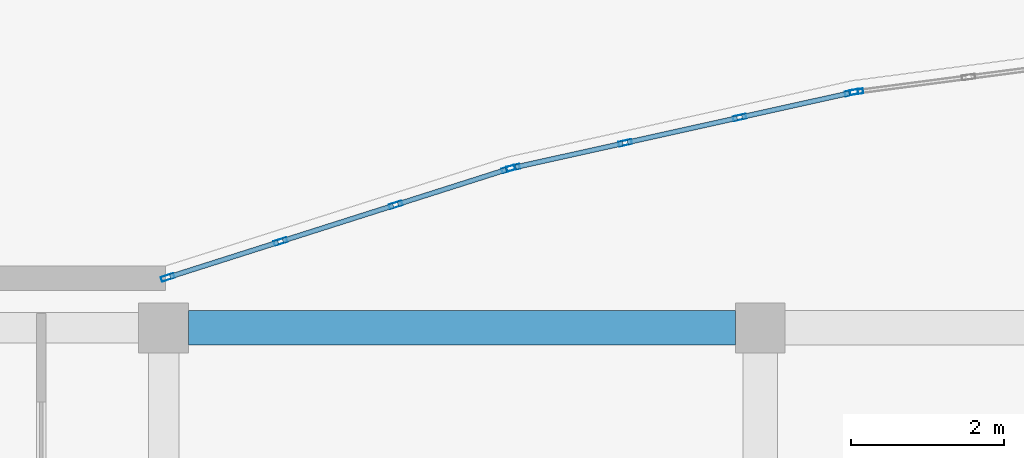
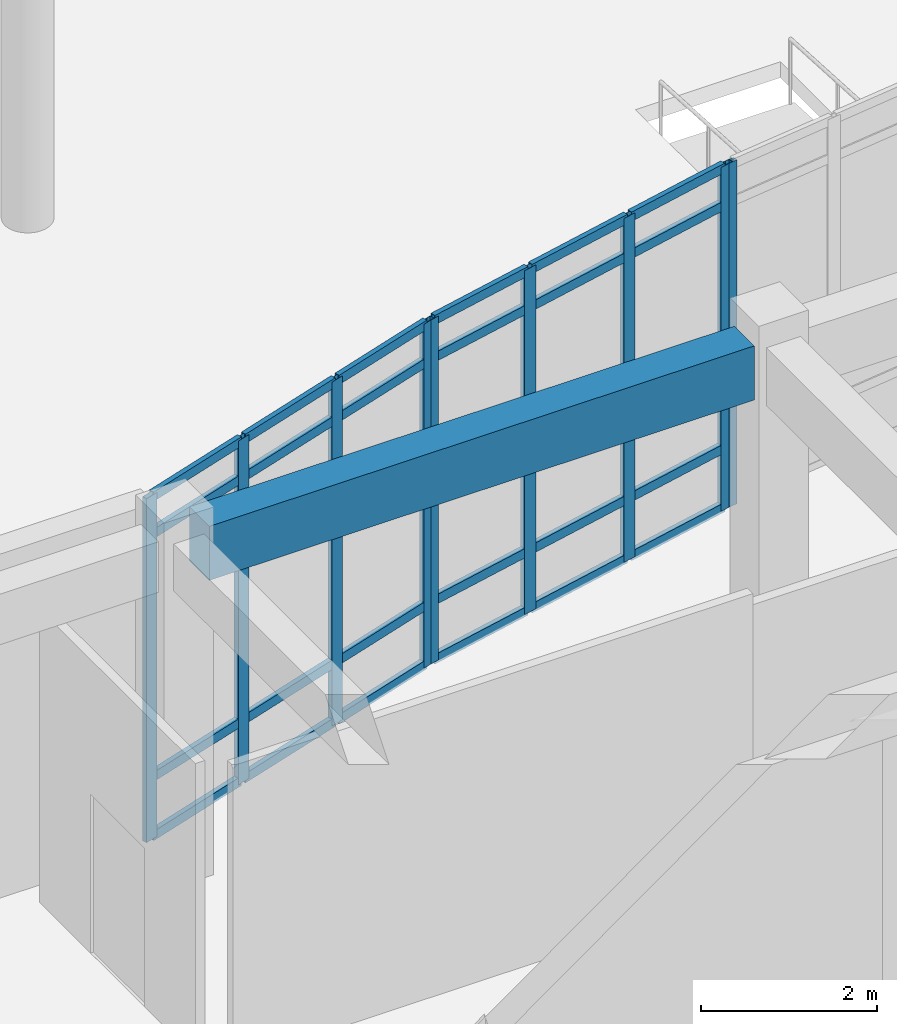
# One storey, part 30 of 121: 33 members, 1 beam, 3 elements without a shape of their own.
"""IFC4 building model written with IfcOpenShell, lengths in metres."""

from ifc_helpers import new_model, si_unit, direction, frame, origin, origin_2d, place, context, subcontext, project, spatial, rectangle, hollow_rectangle, extrude, material, layer, layer_set, material_profile, profile_set, type_object, element, aggregate, save


model = new_model("IFC4")

# Units and contexts
model_context = context("Model", 3, precision=1e-05, world=origin(), true_north=direction((0.0, 1.0)))
body_context = subcontext(model_context, "Body", "Model", "MODEL_VIEW")
ifc_project = project(units=[si_unit("LENGTHUNIT", "METRE"), si_unit("AREAUNIT", "SQUARE_METRE"), si_unit("VOLUMEUNIT", "CUBIC_METRE"), si_unit("PLANEANGLEUNIT", "RADIAN"), si_unit("MASSUNIT", "GRAM", prefix="KILO")], contexts=[model_context])

# Site, building, storey
site_placement = place(None, origin())
site = spatial("IfcSite", under=ifc_project, at=site_placement, CompositionType="ELEMENT")
building_placement = place(site_placement, origin())
building = spatial("IfcBuilding", under=site, at=building_placement, Name="Valcora Specialist Clinic", CompositionType="ELEMENT")
storey_placement = place(building_placement, origin())
storey = spatial("IfcBuildingStorey", under=building, at=storey_placement, Name="L00", CompositionType="ELEMENT", Elevation=0.0)

# Beam
ifc_material_1 = material(Name="Concrete C40/50", Category="concrete")
ifc_material_profile_1 = material_profile(ifc_material_1, rectangle(XDim=0.449951171875, YDim=0.75, at=origin_2d()), Name="RC-BM-450X750")
ifc_profile_set_1 = profile_set([ifc_material_profile_1], Name="Concrete C40/50")
beam_type = type_object("IfcBeamType", Name="TY-BM-RC450X750", PredefinedType="BEAM", material=ifc_profile_set_1)
beam_placement = place(storey_placement, frame((69.324951171875, 22.0, 4.39501953125), z_axis=(1.0, 0.0, 0.0), x_axis=(0.0, 1.0, 0.0)))
element("IfcBeam", 1, at=beam_placement, inside=storey, type_object=beam_type, Name="Beam BM-L00-1253", PredefinedType="BEAM", context=body_context, shape_type="SweptSolid", body=[
    extrude(rectangle(XDim=0.449951171875, YDim=0.75, at=origin_2d()), origin(), (0.0, 0.0, 1.0), 7.150146484375),
])

# Curtain wall, members
ifc_material_2 = material(Name="Anodized Bronze Aluminium 6063-T6", Category="aluminium")
ifc_layer = layer(ifc_material_2, 0.175048828125)
ifc_layer_set = layer_set([ifc_layer], Name="Anodized Bronze Aluminium 6063-T6")
curtain_wall_type = type_object("IfcCurtainWallType", Name="TY-CW-ARC51", PredefinedType="NOTDEFINED", material=ifc_layer_set)
curtain_wall_1_placement = place(storey_placement, origin())
curtain_wall_1 = element("IfcCurtainWall", 2, at=curtain_wall_1_placement, inside=storey, type_object=curtain_wall_type, Name="Curtain wall CW-L00-186", PredefinedType="NOTDEFINED")
ifc_material_profile_2 = material_profile(ifc_material_2, hollow_rectangle(XDim=0.06494140625, YDim=0.175048828125, WallThickness=0.00390625, at=origin_2d()), Name="AL-MUL-65X175")
ifc_profile_set_2 = profile_set([ifc_material_profile_2], Name="Anodized Bronze Aluminium 6063-T6")
member_type_1 = type_object("IfcMemberType", Name="TY-CWM-65X175", PredefinedType="MULLION", material=ifc_profile_set_2)
member_1_placement = place(storey_placement, frame((69.05419921875, 22.659912109375, 0.0), z_axis=(0.0, 0.0, 1.0), x_axis=(-0.303233270958, 0.952916356972, 0.0)))
member_1 = element("IfcMember", 3, at=member_1_placement, type_object=member_type_1, Name="CW-ARC-51 mullion 1", PredefinedType="MULLION", context=body_context, shape_type="SweptSolid", body=[
    extrude(hollow_rectangle(XDim=0.06494140625, YDim=0.175048828125, WallThickness=0.00390625, at=origin_2d()), origin(), (0.0, 0.0, 1.0), 4.77001953125),
])
member_2_placement = place(storey_placement, frame((70.528564453125, 23.12890625, 0.0), z_axis=(0.0, 0.0, 1.0), x_axis=(-0.303233270958, 0.952916356972, 0.0)))
member_2 = element("IfcMember", 4, at=member_2_placement, type_object=member_type_1, Name="CW-ARC-51 mullion 2", PredefinedType="MULLION", context=body_context, shape_type="SweptSolid", body=[
    extrude(hollow_rectangle(XDim=0.06494140625, YDim=0.175048828125, WallThickness=0.00390625, at=origin_2d()), origin(), (0.0, 0.0, 1.0), 4.77001953125),
])
member_3_placement = place(storey_placement, frame((72.033935546875, 23.60791015625, 0.0), z_axis=(0.0, 0.0, 1.0), x_axis=(-0.303233270958, 0.952916356972, 0.0)))
member_3 = element("IfcMember", 5, at=member_3_placement, type_object=member_type_1, Name="CW-ARC-51 mullion 3", PredefinedType="MULLION", context=body_context, shape_type="SweptSolid", body=[
    extrude(hollow_rectangle(XDim=0.06494140625, YDim=0.175048828125, WallThickness=0.00390625, at=origin_2d()), origin(), (0.0, 0.0, 1.0), 4.77001953125),
])
member_4_placement = place(storey_placement, frame((73.508056640625, 24.0771484375, 0.0), z_axis=(0.0, 0.0, 1.0), x_axis=(-0.303233270958, 0.952916356972, 0.0)))
member_4 = element("IfcMember", 6, at=member_4_placement, type_object=member_type_1, Name="CW-ARC-51 mullion 4", PredefinedType="MULLION", context=body_context, shape_type="SweptSolid", body=[
    extrude(hollow_rectangle(XDim=0.06494140625, YDim=0.175048828125, WallThickness=0.00390625, at=origin_2d()), origin(), (0.0, 0.0, 1.0), 4.77001953125),
])

curtain_wall_2_placement = place(storey_placement, origin())
curtain_wall_2 = element("IfcCurtainWall", 7, at=curtain_wall_2_placement, inside=storey, type_object=curtain_wall_type, Name="Curtain wall CW-L00-187", PredefinedType="NOTDEFINED")
member_5_placement = place(storey_placement, frame((73.57080078125, 24.093994140625, 0.0), z_axis=(0.0, 0.0, 1.0), x_axis=(-0.216518052372, 0.976278614432, 0.0)))
member_5 = element("IfcMember", 8, at=member_5_placement, type_object=member_type_1, Name="CW-ARC-51 mullion 1", PredefinedType="MULLION", context=body_context, shape_type="SweptSolid", body=[
    extrude(hollow_rectangle(XDim=0.06494140625, YDim=0.175048828125, WallThickness=0.00390625, at=origin_2d()), origin(), (0.0, 0.0, 1.0), 4.77001953125),
])
member_6_placement = place(storey_placement, frame((75.03466796875, 24.418701171875, 0.0), z_axis=(0.0, 0.0, 1.0), x_axis=(-0.216518052372, 0.976278614432, 0.0)))
member_6 = element("IfcMember", 9, at=member_6_placement, type_object=member_type_1, Name="CW-ARC-51 mullion 2", PredefinedType="MULLION", context=body_context, shape_type="SweptSolid", body=[
    extrude(hollow_rectangle(XDim=0.06494140625, YDim=0.175048828125, WallThickness=0.00390625, at=origin_2d()), origin(), (0.0, 0.0, 1.0), 4.77001953125),
])
member_7_placement = place(storey_placement, frame((76.5302734375, 24.75048828125, 0.0), z_axis=(0.0, 0.0, 1.0), x_axis=(-0.216518052372, 0.976278614432, 0.0)))
member_7 = element("IfcMember", 10, at=member_7_placement, type_object=member_type_1, Name="CW-ARC-51 mullion 3", PredefinedType="MULLION", context=body_context, shape_type="SweptSolid", body=[
    extrude(hollow_rectangle(XDim=0.06494140625, YDim=0.175048828125, WallThickness=0.00390625, at=origin_2d()), origin(), (0.0, 0.0, 1.0), 4.77001953125),
])
member_8_placement = place(storey_placement, frame((77.994384765625, 25.074951171875, 0.0), z_axis=(0.0, 0.0, 1.0), x_axis=(-0.216518052372, 0.976278614432, 0.0)))
member_8 = element("IfcMember", 11, at=member_8_placement, type_object=member_type_1, Name="CW-ARC-51 mullion 4", PredefinedType="MULLION", context=body_context, shape_type="SweptSolid", body=[
    extrude(hollow_rectangle(XDim=0.06494140625, YDim=0.175048828125, WallThickness=0.00390625, at=origin_2d()), origin(), (0.0, 0.0, 1.0), 4.77001953125),
])

# Curtain wall, member
curtain_wall_3_placement = place(storey_placement, origin())
curtain_wall_3 = element("IfcCurtainWall", 12, at=curtain_wall_3_placement, inside=storey, type_object=curtain_wall_type, Name="Curtain wall CW-L00-188", PredefinedType="NOTDEFINED")
member_9_placement = place(storey_placement, frame((78.05810546875, 25.08642578125, 0.0), z_axis=(0.0, 0.0, 1.0), x_axis=(-0.129999492259, 0.991514060421, 0.0)))
member_9 = element("IfcMember", 13, at=member_9_placement, type_object=member_type_1, Name="CW-ARC-51 mullion 1", PredefinedType="MULLION", context=body_context, shape_type="SweptSolid", body=[
    extrude(hollow_rectangle(XDim=0.06494140625, YDim=0.175048828125, WallThickness=0.00390625, at=origin_2d()), origin(), (0.0, 0.0, 1.0), 4.77001953125),
])
aggregate(curtain_wall_3, [member_9])

# Member
ifc_material_profile_3 = material_profile(ifc_material_2, hollow_rectangle(XDim=0.06494140625, YDim=0.1298828125, WallThickness=0.00390625, at=origin_2d()), Name="AL-TRN-65X130")
ifc_profile_set_3 = profile_set([ifc_material_profile_3], Name="Anodized Bronze Aluminium 6063-T6")
member_type_2 = type_object("IfcMemberType", Name="TY-CWT-65X130", PredefinedType="USERDEFINED", material=ifc_profile_set_3)
member_10_placement = place(storey_placement, frame((69.085205078125, 22.669677734375, 0.032470703125), z_axis=(0.952910635624, 0.303251249816, 0.0), x_axis=(-0.303251249816, 0.952910635624, 0.0)))
member_10 = element("IfcMember", 14, at=member_10_placement, type_object=member_type_2, Name="CW-ARC-51 transom 1.1", ObjectType="TRANSOM", PredefinedType="USERDEFINED", context=body_context, shape_type="SweptSolid", body=[
    extrude(hollow_rectangle(XDim=0.06494140625, YDim=0.1298828125, WallThickness=0.00390625, at=origin_2d()), origin(), (0.0, 0.0, 1.0), 1.482177734375),
])

member_11_placement = place(storey_placement, frame((69.085205078125, 22.669677734375, 0.85009765625), z_axis=(0.952910635624, 0.303251249816, 0.0), x_axis=(-0.303251249816, 0.952910635624, 0.0)))
member_11 = element("IfcMember", 15, at=member_11_placement, type_object=member_type_2, Name="CW-ARC-51 transom 1.2", ObjectType="TRANSOM", PredefinedType="USERDEFINED", context=body_context, shape_type="SweptSolid", body=[
    extrude(hollow_rectangle(XDim=0.06494140625, YDim=0.1298828125, WallThickness=0.00390625, at=origin_2d()), origin(), (0.0, 0.0, 1.0), 1.482177734375),
])

member_12_placement = place(storey_placement, frame((69.085205078125, 22.669677734375, 4.219970703125), z_axis=(0.952910635624, 0.303251249816, 0.0), x_axis=(-0.303251249816, 0.952910635624, 0.0)))
member_12 = element("IfcMember", 16, at=member_12_placement, type_object=member_type_2, Name="CW-ARC-51 transom 1.3", ObjectType="TRANSOM", PredefinedType="USERDEFINED", context=body_context, shape_type="SweptSolid", body=[
    extrude(hollow_rectangle(XDim=0.06494140625, YDim=0.1298828125, WallThickness=0.00390625, at=origin_2d()), origin(), (0.0, 0.0, 1.0), 1.482177734375),
])

member_13_placement = place(storey_placement, frame((69.085205078125, 22.669677734375, 4.737548828125), z_axis=(0.952910635624, 0.303251249816, 0.0), x_axis=(-0.303251249816, 0.952910635624, 0.0)))
member_13 = element("IfcMember", 17, at=member_13_placement, type_object=member_type_2, Name="CW-ARC-51 transom 1.4", ObjectType="TRANSOM", PredefinedType="USERDEFINED", context=body_context, shape_type="SweptSolid", body=[
    extrude(hollow_rectangle(XDim=0.06494140625, YDim=0.1298828125, WallThickness=0.00390625, at=origin_2d()), origin(), (0.0, 0.0, 1.0), 1.482177734375),
])

member_14_placement = place(storey_placement, frame((70.5595703125, 23.138916015625, 0.032470703125), z_axis=(0.952930013692, 0.303190351109, 0.0), x_axis=(-0.303190351109, 0.952930013692, 0.0)))
member_14 = element("IfcMember", 18, at=member_14_placement, type_object=member_type_2, Name="CW-ARC-51 transom 2.1", ObjectType="TRANSOM", PredefinedType="USERDEFINED", context=body_context, shape_type="SweptSolid", body=[
    extrude(hollow_rectangle(XDim=0.06494140625, YDim=0.1298828125, WallThickness=0.00390625, at=origin_2d()), origin(), (0.0, 0.0, 1.0), 1.5146484375),
])

member_15_placement = place(storey_placement, frame((70.5595703125, 23.138916015625, 0.85009765625), z_axis=(0.952930013692, 0.303190351109, 0.0), x_axis=(-0.303190351109, 0.952930013692, 0.0)))
member_15 = element("IfcMember", 19, at=member_15_placement, type_object=member_type_2, Name="CW-ARC-51 transom 2.2", ObjectType="TRANSOM", PredefinedType="USERDEFINED", context=body_context, shape_type="SweptSolid", body=[
    extrude(hollow_rectangle(XDim=0.06494140625, YDim=0.1298828125, WallThickness=0.00390625, at=origin_2d()), origin(), (0.0, 0.0, 1.0), 1.5146484375),
])

member_16_placement = place(storey_placement, frame((70.5595703125, 23.138916015625, 4.219970703125), z_axis=(0.952930013692, 0.303190351109, 0.0), x_axis=(-0.303190351109, 0.952930013692, 0.0)))
member_16 = element("IfcMember", 20, at=member_16_placement, type_object=member_type_2, Name="CW-ARC-51 transom 2.3", ObjectType="TRANSOM", PredefinedType="USERDEFINED", context=body_context, shape_type="SweptSolid", body=[
    extrude(hollow_rectangle(XDim=0.06494140625, YDim=0.1298828125, WallThickness=0.00390625, at=origin_2d()), origin(), (0.0, 0.0, 1.0), 1.5146484375),
])

member_17_placement = place(storey_placement, frame((70.5595703125, 23.138916015625, 4.737548828125), z_axis=(0.952930013692, 0.303190351109, 0.0), x_axis=(-0.303190351109, 0.952930013692, 0.0)))
member_17 = element("IfcMember", 21, at=member_17_placement, type_object=member_type_2, Name="CW-ARC-51 transom 2.4", ObjectType="TRANSOM", PredefinedType="USERDEFINED", context=body_context, shape_type="SweptSolid", body=[
    extrude(hollow_rectangle(XDim=0.06494140625, YDim=0.1298828125, WallThickness=0.00390625, at=origin_2d()), origin(), (0.0, 0.0, 1.0), 1.5146484375),
])

member_18_placement = place(storey_placement, frame((72.064697265625, 23.617919921875, 0.032470703125), z_axis=(0.952910635624, 0.303251249816, 0.0), x_axis=(-0.303251249816, 0.952910635624, 0.0)))
member_18 = element("IfcMember", 22, at=member_18_placement, type_object=member_type_2, Name="CW-ARC-51 transom 3.1", ObjectType="TRANSOM", PredefinedType="USERDEFINED", context=body_context, shape_type="SweptSolid", body=[
    extrude(hollow_rectangle(XDim=0.06494140625, YDim=0.1298828125, WallThickness=0.00390625, at=origin_2d()), origin(), (0.0, 0.0, 1.0), 1.482177734375),
])

member_19_placement = place(storey_placement, frame((72.064697265625, 23.617919921875, 0.85009765625), z_axis=(0.952910635624, 0.303251249816, 0.0), x_axis=(-0.303251249816, 0.952910635624, 0.0)))
member_19 = element("IfcMember", 23, at=member_19_placement, type_object=member_type_2, Name="CW-ARC-51 transom 3.2", ObjectType="TRANSOM", PredefinedType="USERDEFINED", context=body_context, shape_type="SweptSolid", body=[
    extrude(hollow_rectangle(XDim=0.06494140625, YDim=0.1298828125, WallThickness=0.00390625, at=origin_2d()), origin(), (0.0, 0.0, 1.0), 1.482177734375),
])

member_20_placement = place(storey_placement, frame((72.064697265625, 23.617919921875, 4.219970703125), z_axis=(0.952910635624, 0.303251249816, 0.0), x_axis=(-0.303251249816, 0.952910635624, 0.0)))
member_20 = element("IfcMember", 24, at=member_20_placement, type_object=member_type_2, Name="CW-ARC-51 transom 3.3", ObjectType="TRANSOM", PredefinedType="USERDEFINED", context=body_context, shape_type="SweptSolid", body=[
    extrude(hollow_rectangle(XDim=0.06494140625, YDim=0.1298828125, WallThickness=0.00390625, at=origin_2d()), origin(), (0.0, 0.0, 1.0), 1.482177734375),
])

member_21_placement = place(storey_placement, frame((72.064697265625, 23.617919921875, 4.737548828125), z_axis=(0.952910635624, 0.303251249816, 0.0), x_axis=(-0.303251249816, 0.952910635624, 0.0)))
member_21 = element("IfcMember", 25, at=member_21_placement, type_object=member_type_2, Name="CW-ARC-51 transom 3.4", ObjectType="TRANSOM", PredefinedType="USERDEFINED", context=body_context, shape_type="SweptSolid", body=[
    extrude(hollow_rectangle(XDim=0.06494140625, YDim=0.1298828125, WallThickness=0.00390625, at=origin_2d()), origin(), (0.0, 0.0, 1.0), 1.482177734375),
])

aggregate(curtain_wall_1, [member_1, member_2, member_3, member_4, member_10, member_11, member_12, member_13, member_14, member_15, member_16, member_17, member_18, member_19, member_20, member_21])

member_22_placement = place(storey_placement, frame((73.6025390625, 24.10107421875, 0.032470703125), z_axis=(0.976283078872, 0.216497921256, 0.0), x_axis=(-0.216497921256, 0.976283078872, 0.0)))
member_22 = element("IfcMember", 26, at=member_22_placement, type_object=member_type_2, Name="CW-ARC-51 transom 1.1", ObjectType="TRANSOM", PredefinedType="USERDEFINED", context=body_context, shape_type="SweptSolid", body=[
    extrude(hollow_rectangle(XDim=0.06494140625, YDim=0.1298828125, WallThickness=0.00390625, at=origin_2d()), origin(), (0.0, 0.0, 1.0), 1.434326171875),
])

member_23_placement = place(storey_placement, frame((73.6025390625, 24.10107421875, 0.85009765625), z_axis=(0.976283078872, 0.216497921256, 0.0), x_axis=(-0.216497921256, 0.976283078872, 0.0)))
member_23 = element("IfcMember", 27, at=member_23_placement, type_object=member_type_2, Name="CW-ARC-51 transom 1.2", ObjectType="TRANSOM", PredefinedType="USERDEFINED", context=body_context, shape_type="SweptSolid", body=[
    extrude(hollow_rectangle(XDim=0.06494140625, YDim=0.1298828125, WallThickness=0.00390625, at=origin_2d()), origin(), (0.0, 0.0, 1.0), 1.434326171875),
])

member_24_placement = place(storey_placement, frame((73.6025390625, 24.10107421875, 4.219970703125), z_axis=(0.976283078872, 0.216497921256, 0.0), x_axis=(-0.216497921256, 0.976283078872, 0.0)))
member_24 = element("IfcMember", 28, at=member_24_placement, type_object=member_type_2, Name="CW-ARC-51 transom 1.3", ObjectType="TRANSOM", PredefinedType="USERDEFINED", context=body_context, shape_type="SweptSolid", body=[
    extrude(hollow_rectangle(XDim=0.06494140625, YDim=0.1298828125, WallThickness=0.00390625, at=origin_2d()), origin(), (0.0, 0.0, 1.0), 1.434326171875),
])

member_25_placement = place(storey_placement, frame((73.6025390625, 24.10107421875, 4.737548828125), z_axis=(0.976283078872, 0.216497921256, 0.0), x_axis=(-0.216497921256, 0.976283078872, 0.0)))
member_25 = element("IfcMember", 29, at=member_25_placement, type_object=member_type_2, Name="CW-ARC-51 transom 1.4", ObjectType="TRANSOM", PredefinedType="USERDEFINED", context=body_context, shape_type="SweptSolid", body=[
    extrude(hollow_rectangle(XDim=0.06494140625, YDim=0.1298828125, WallThickness=0.00390625, at=origin_2d()), origin(), (0.0, 0.0, 1.0), 1.434326171875),
])

member_26_placement = place(storey_placement, frame((75.06640625, 24.42578125, 0.032470703125), z_axis=(0.976277043921, 0.216525133676, 0.0), x_axis=(-0.216525133676, 0.976277043921, 0.0)))
member_26 = element("IfcMember", 30, at=member_26_placement, type_object=member_type_2, Name="CW-ARC-51 transom 2.1", ObjectType="TRANSOM", PredefinedType="USERDEFINED", context=body_context, shape_type="SweptSolid", body=[
    extrude(hollow_rectangle(XDim=0.06494140625, YDim=0.1298828125, WallThickness=0.00390625, at=origin_2d()), origin(), (0.0, 0.0, 1.0), 1.467041015625),
])

member_27_placement = place(storey_placement, frame((75.06640625, 24.42578125, 0.85009765625), z_axis=(0.976277043921, 0.216525133676, 0.0), x_axis=(-0.216525133676, 0.976277043921, 0.0)))
member_27 = element("IfcMember", 31, at=member_27_placement, type_object=member_type_2, Name="CW-ARC-51 transom 2.2", ObjectType="TRANSOM", PredefinedType="USERDEFINED", context=body_context, shape_type="SweptSolid", body=[
    extrude(hollow_rectangle(XDim=0.06494140625, YDim=0.1298828125, WallThickness=0.00390625, at=origin_2d()), origin(), (0.0, 0.0, 1.0), 1.467041015625),
])

member_28_placement = place(storey_placement, frame((75.06640625, 24.42578125, 4.219970703125), z_axis=(0.976277043921, 0.216525133676, 0.0), x_axis=(-0.216525133676, 0.976277043921, 0.0)))
member_28 = element("IfcMember", 32, at=member_28_placement, type_object=member_type_2, Name="CW-ARC-51 transom 2.3", ObjectType="TRANSOM", PredefinedType="USERDEFINED", context=body_context, shape_type="SweptSolid", body=[
    extrude(hollow_rectangle(XDim=0.06494140625, YDim=0.1298828125, WallThickness=0.00390625, at=origin_2d()), origin(), (0.0, 0.0, 1.0), 1.467041015625),
])

member_29_placement = place(storey_placement, frame((75.06640625, 24.42578125, 4.737548828125), z_axis=(0.976277043921, 0.216525133676, 0.0), x_axis=(-0.216525133676, 0.976277043921, 0.0)))
member_29 = element("IfcMember", 33, at=member_29_placement, type_object=member_type_2, Name="CW-ARC-51 transom 2.4", ObjectType="TRANSOM", PredefinedType="USERDEFINED", context=body_context, shape_type="SweptSolid", body=[
    extrude(hollow_rectangle(XDim=0.06494140625, YDim=0.1298828125, WallThickness=0.00390625, at=origin_2d()), origin(), (0.0, 0.0, 1.0), 1.467041015625),
])

member_30_placement = place(storey_placement, frame((76.56201171875, 24.75732421875, 0.032470703125), z_axis=(0.976255079417, 0.216624144343, 0.0), x_axis=(-0.216624144343, 0.976255079417, 0.0)))
member_30 = element("IfcMember", 34, at=member_30_placement, type_object=member_type_2, Name="CW-ARC-51 transom 3.1", ObjectType="TRANSOM", PredefinedType="USERDEFINED", context=body_context, shape_type="SweptSolid", body=[
    extrude(hollow_rectangle(XDim=0.06494140625, YDim=0.1298828125, WallThickness=0.00390625, at=origin_2d()), origin(), (0.0, 0.0, 1.0), 1.434814453125),
])

member_31_placement = place(storey_placement, frame((76.56201171875, 24.75732421875, 0.85009765625), z_axis=(0.976255079417, 0.216624144343, 0.0), x_axis=(-0.216624144343, 0.976255079417, 0.0)))
member_31 = element("IfcMember", 35, at=member_31_placement, type_object=member_type_2, Name="CW-ARC-51 transom 3.2", ObjectType="TRANSOM", PredefinedType="USERDEFINED", context=body_context, shape_type="SweptSolid", body=[
    extrude(hollow_rectangle(XDim=0.06494140625, YDim=0.1298828125, WallThickness=0.00390625, at=origin_2d()), origin(), (0.0, 0.0, 1.0), 1.434814453125),
])

member_32_placement = place(storey_placement, frame((76.56201171875, 24.75732421875, 4.219970703125), z_axis=(0.976255079417, 0.216624144343, 0.0), x_axis=(-0.216624144343, 0.976255079417, 0.0)))
member_32 = element("IfcMember", 36, at=member_32_placement, type_object=member_type_2, Name="CW-ARC-51 transom 3.3", ObjectType="TRANSOM", PredefinedType="USERDEFINED", context=body_context, shape_type="SweptSolid", body=[
    extrude(hollow_rectangle(XDim=0.06494140625, YDim=0.1298828125, WallThickness=0.00390625, at=origin_2d()), origin(), (0.0, 0.0, 1.0), 1.434814453125),
])

member_33_placement = place(storey_placement, frame((76.56201171875, 24.75732421875, 4.737548828125), z_axis=(0.976255079417, 0.216624144343, 0.0), x_axis=(-0.216624144343, 0.976255079417, 0.0)))
member_33 = element("IfcMember", 37, at=member_33_placement, type_object=member_type_2, Name="CW-ARC-51 transom 3.4", ObjectType="TRANSOM", PredefinedType="USERDEFINED", context=body_context, shape_type="SweptSolid", body=[
    extrude(hollow_rectangle(XDim=0.06494140625, YDim=0.1298828125, WallThickness=0.00390625, at=origin_2d()), origin(), (0.0, 0.0, 1.0), 1.434814453125),
])

aggregate(curtain_wall_2, [member_5, member_6, member_7, member_8, member_22, member_23, member_24, member_25, member_26, member_27, member_28, member_29, member_30, member_31, member_32, member_33])

save(model, "model.ifc")
